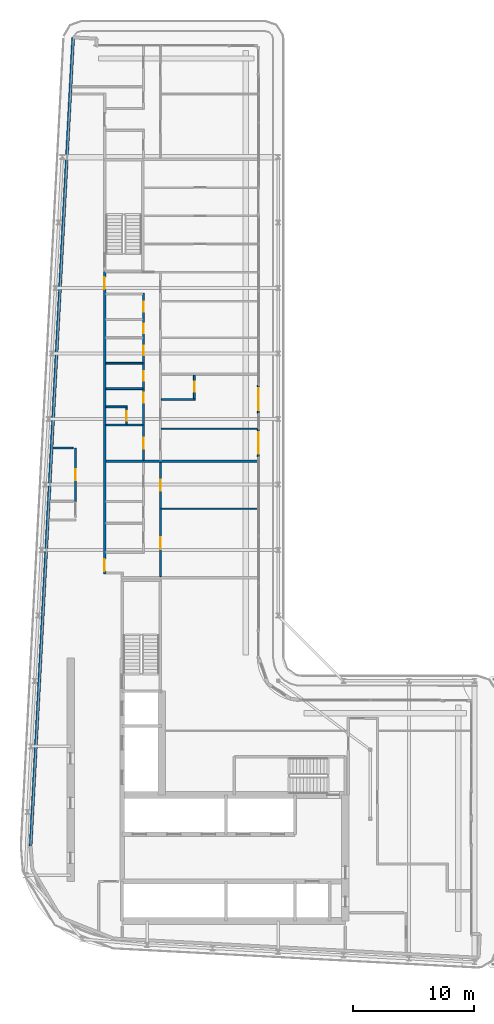
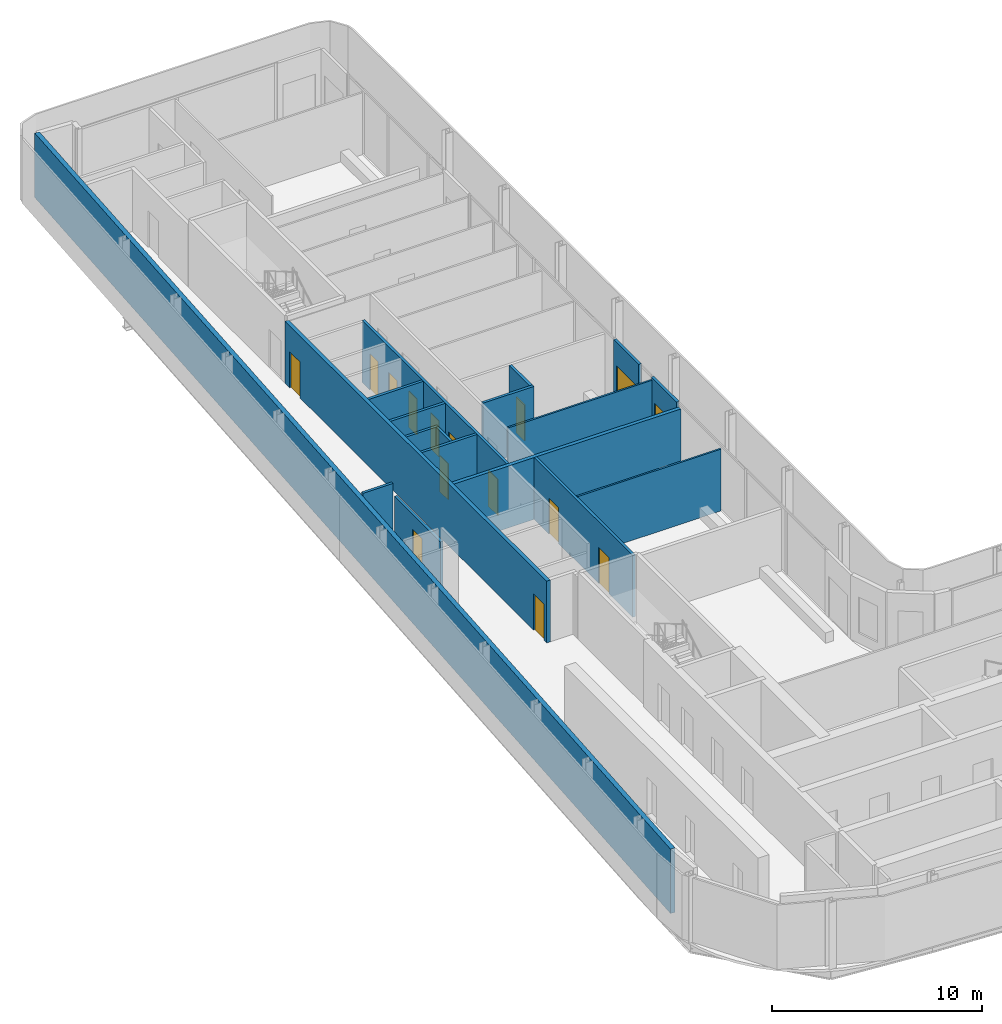
# One storey, part 13 of 22: 18 walls, 15 doors, 15 openings.
"""IFC4 building model written with IfcOpenShell, lengths in metres."""

from ifc_helpers import new_model, si_unit, direction, frame, frame_2d, origin, place, context, subcontext, project, spatial, rectangle, extrude, source, transform, mapped, material, layer, layer_set, type_object, element, fill, save


model = new_model("IFC4")

# Units and contexts
model_context = context("Model", 3, precision=1e-05, world=origin(), true_north=direction((0.0, 1.0)))
body_context = subcontext(model_context, "Body", "Model", "MODEL_VIEW")
ifc_project = project(units=[si_unit("LENGTHUNIT", "METRE"), si_unit("AREAUNIT", "SQUARE_METRE"), si_unit("VOLUMEUNIT", "CUBIC_METRE"), si_unit("PLANEANGLEUNIT", "RADIAN"), si_unit("MASSUNIT", "GRAM", prefix="KILO")], contexts=[model_context])

# Site, building, storey
site_placement = place(None, origin())
site = spatial("IfcSite", under=ifc_project, at=site_placement, CompositionType="ELEMENT")
building_placement = place(site_placement, origin())
building = spatial("IfcBuilding", under=site, at=building_placement, Name="Kheshtan School and Residences Tower", CompositionType="ELEMENT")
storey_placement = place(building_placement, frame((0.0, 0.0, 274.699951171875)))
storey = spatial("IfcBuildingStorey", under=building, at=storey_placement, Name="L64", CompositionType="ELEMENT", Elevation=274.699951171875)

# Wall, openings, doors
ifc_material_1 = material(Name="Gypsum board on steel studs with fire boards", Category="steel")
ifc_layer_1 = layer(ifc_material_1, 0.199951171875)
ifc_layer_set_1 = layer_set([ifc_layer_1], Name="Corridor wall 200")
wall_type_1 = type_object("IfcWallType", Name="Corridor wall 200", PredefinedType="PARTITIONING", material=ifc_layer_set_1)
wall_1_placement = place(storey_placement, frame((33.300048828125, 54.39990234375, 0.0), z_axis=(0.0, 0.0, 1.0), x_axis=(0.0, 1.0, 0.0)))
wall_1 = element("IfcWall", 1, at=wall_1_placement, inside=storey, type_object=wall_type_1, Name="Partition L64-003", PredefinedType="PARTITIONING", context=body_context, shape_type="SweptSolid", body=[
    extrude(rectangle(XDim=24.9501953125, YDim=0.199951171875, at=frame_2d((12.47509765625, 0.0))), origin(), (0.0, 0.0, 1.0), 3.60009765625),
])
opening_1_placement = place(wall_1_placement, frame((0.25, 0.0, 0.0)))
opening_1 = element("IfcOpeningElement", 2, at=opening_1_placement, cuts=wall_1, Name="Opening D64-003", PredefinedType="OPENING", context=body_context, shape_type="SweptSolid", body=[
    extrude(rectangle(XDim=1.0, YDim=2.10009765625, at=frame_2d((0.5, 1.050048828125))), frame((0.0, 0.10986328125, 0.0), z_axis=(0.0, -1.0, 0.0), x_axis=(1.0, 0.0, 0.0)), (0.0, 0.0, 1.0), 0.219970703125),
])
opening_2_placement = place(wall_1_placement, frame((23.5, 0.0, 0.0)))
opening_2 = element("IfcOpeningElement", 3, at=opening_2_placement, cuts=wall_1, Name="Opening D64-013", PredefinedType="OPENING", context=body_context, shape_type="SweptSolid", body=[
    extrude(rectangle(XDim=1.0, YDim=2.10009765625, at=frame_2d((0.5, 1.050048828125))), frame((0.0, 0.10986328125, 0.0), z_axis=(0.0, -1.0, 0.0), x_axis=(1.0, 0.0, 0.0)), (0.0, 0.0, 1.0), 0.219970703125),
])
ifc_material_2 = material(Name="Steel-framed fire-resisting door leaf", Category="steel")
door_type_1 = type_object("IfcDoorType", Name="Fire door FD30S 1000 x 2100", OperationType="SINGLE_SWING_LEFT", PredefinedType="DOOR", material=ifc_material_2)
shared_shape_1 = source(origin(), body_context, "Body", "SweptSolid", [
    extrude(rectangle(XDim=1.0, YDim=2.10009765625, at=frame_2d((0.5, 1.050048828125))), frame((0.0, 0.02490234375, 0.0), z_axis=(0.0, -1.0, 0.0), x_axis=(1.0, 0.0, 0.0)), (0.0, 0.0, 1.0), 0.050048828125),
])
door_1_placement = place(opening_1_placement, origin())
door_1 = element("IfcDoor", 4, at=door_1_placement, inside=storey, type_object=door_type_1, Name="Door D64-003", OperationType="SINGLE_SWING_RIGHT", OverallHeight=2.10009765625, OverallWidth=1.0, PredefinedType="DOOR", context=body_context, shape_type="MappedRepresentation", body=[
    mapped(shared_shape_1, transform((0.0, 0.0, 0.0), x_axis=(1.0, 0.0, 0.0), y_axis=(0.0, 1.0, 0.0), z_axis=(0.0, 0.0, 1.0), scale=1.0)),
])
fill(opening_1, door_1)
door_2_placement = place(opening_2_placement, origin())
door_2 = element("IfcDoor", 5, at=door_2_placement, inside=storey, type_object=door_type_1, Name="Door D64-013", OperationType="SINGLE_SWING_RIGHT", OverallHeight=2.10009765625, OverallWidth=1.0, PredefinedType="DOOR", context=body_context, shape_type="MappedRepresentation", body=[
    mapped(shared_shape_1, transform((0.0, 0.0, 0.0), x_axis=(1.0, 0.0, 0.0), y_axis=(0.0, 1.0, 0.0), z_axis=(0.0, 0.0, 1.0), scale=1.0)),
])
fill(opening_2, door_2)

# Wall
ifc_material_3 = material(Name="Concrete C40/50 with ceramic cladding and mineral wool insulation", Category="concrete")
ifc_layer_2 = layer(ifc_material_3, 0.25)
ifc_layer_set_2 = layer_set([ifc_layer_2], Name="External wall 250 ceramic clad")
wall_type_2 = type_object("IfcWallType", Name="External wall 250 ceramic clad", PredefinedType="SOLIDWALL", material=ifc_layer_set_2)
wall_2_placement = place(storey_placement, frame((27.195068359375, 31.968994140625, 0.0), z_axis=(0.0, 0.0, 1.0), x_axis=(0.052554995867, 0.998618031286, 0.0)))
element("IfcWall", 6, at=wall_2_placement, inside=storey, type_object=wall_type_2, Name="External wall L64 4", PredefinedType="SOLIDWALL", context=body_context, shape_type="SweptSolid", body=[
    extrude(rectangle(XDim=66.787353515625, YDim=0.25, at=frame_2d((33.3935546875, 0.0))), origin(), (0.0, 0.0, 1.0), 3.75),
])

# Wall, opening, door
ifc_material_4 = material(Name="Aluminium frame wall with insulated infill", Category="aluminium")
ifc_layer_3 = layer(ifc_material_4, 0.14990234375)
ifc_layer_set_3 = layer_set([ifc_layer_3], Name="Glazing frame wall 150")
wall_type_3 = type_object("IfcWallType", Name="Glazing frame wall 150", PredefinedType="SOLIDWALL", material=ifc_layer_set_3)
wall_3_placement = place(storey_placement, frame((45.97509765625, 70.01806640625, 0.0), z_axis=(0.0, 0.0, 1.0), x_axis=(0.0, -1.0, 0.0)))
wall_3 = element("IfcWall", 7, at=wall_3_placement, inside=storey, type_object=wall_type_3, Name="Balcony door wall L64 8.3", PredefinedType="SOLIDWALL", context=body_context, shape_type="SweptSolid", body=[
    extrude(rectangle(XDim=2.400146484375, YDim=0.14990234375, at=frame_2d((1.2001953125, 0.0))), origin(), (0.0, 0.0, 1.0), 3.75),
])
opening_3_placement = place(wall_3_placement, frame((0.300048828125, 0.0, 0.0)))
opening_3 = element("IfcOpeningElement", 8, at=opening_3_placement, cuts=wall_3, Name="Opening BD", PredefinedType="OPENING", context=body_context, shape_type="SweptSolid", body=[
    extrude(rectangle(XDim=1.800048828125, YDim=2.39990234375, at=frame_2d((0.89990234375, 1.199951171875))), frame((0.0, 0.0849609375, 0.0), z_axis=(0.0, -1.0, 0.0), x_axis=(1.0, 0.0, 0.0)), (0.0, 0.0, 1.0), 0.169921875),
])
ifc_material_5 = material(Name="Clear low-e glass in thermally broken aluminium frame", Category="aluminium")
door_type_2 = type_object("IfcDoorType", Name="Balcony sliding door", OperationType="SLIDING_TO_LEFT", PredefinedType="DOOR", material=ifc_material_5)
shared_shape_2 = source(origin(), body_context, "Body", "SweptSolid", [
    extrude(rectangle(XDim=1.800048828125, YDim=2.39990234375, at=frame_2d((0.89990234375, 1.199951171875))), frame((0.0, 0.02490234375, 0.0), z_axis=(0.0, -1.0, 0.0), x_axis=(1.0, 0.0, 0.0)), (0.0, 0.0, 1.0), 0.050048828125),
])
door_3_placement = place(opening_3_placement, origin())
door_3 = element("IfcDoor", 9, at=door_3_placement, inside=storey, type_object=door_type_2, Name="Balcony door L64 8.3", OperationType="SLIDING_TO_LEFT", OverallHeight=2.39990234375, OverallWidth=1.800048828125, PredefinedType="DOOR", context=body_context, shape_type="MappedRepresentation", body=[
    mapped(shared_shape_2, transform((0.0, 0.0, 0.0), x_axis=(1.0, 0.0, 0.0), y_axis=(0.0, 1.0, 0.0), z_axis=(0.0, 0.0, 1.0), scale=1.0)),
])
fill(opening_3, door_3)

wall_4_placement = place(storey_placement, frame((45.97509765625, 66.41796875, 0.0), z_axis=(0.0, 0.0, 1.0), x_axis=(0.0, -1.0, 0.0)))
wall_4 = element("IfcWall", 10, at=wall_4_placement, inside=storey, type_object=wall_type_3, Name="Balcony door wall L64 8.4", PredefinedType="SOLIDWALL", context=body_context, shape_type="SweptSolid", body=[
    extrude(rectangle(XDim=2.39990234375, YDim=0.14990234375, at=frame_2d((1.199951171875, 0.0))), origin(), (0.0, 0.0, 1.0), 3.75),
])
opening_4_placement = place(wall_4_placement, frame((0.300048828125, 0.0, 0.0)))
opening_4 = element("IfcOpeningElement", 11, at=opening_4_placement, cuts=wall_4, Name="Opening BD", PredefinedType="OPENING", context=body_context, shape_type="SweptSolid", body=[
    extrude(rectangle(XDim=1.800048828125, YDim=2.39990234375, at=frame_2d((0.89990234375, 1.199951171875))), frame((0.0, 0.0849609375, 0.0), z_axis=(0.0, -1.0, 0.0), x_axis=(1.0, 0.0, 0.0)), (0.0, 0.0, 1.0), 0.169921875),
])
door_4_placement = place(opening_4_placement, origin())
door_4 = element("IfcDoor", 12, at=door_4_placement, inside=storey, type_object=door_type_2, Name="Balcony door L64 8.4", OperationType="SLIDING_TO_LEFT", OverallHeight=2.39990234375, OverallWidth=1.800048828125, PredefinedType="DOOR", context=body_context, shape_type="MappedRepresentation", body=[
    mapped(shared_shape_2, transform((0.0, 0.0, 0.0), x_axis=(1.0, 0.0, 0.0), y_axis=(0.0, 1.0, 0.0), z_axis=(0.0, 0.0, 1.0), scale=1.0)),
])
fill(opening_4, door_4)

# Walls
ifc_material_6 = material(Name="Gypsum board on steel studs", Category="steel")
ifc_layer_4 = layer(ifc_material_6, 0.10009765625)
ifc_layer_set_4 = layer_set([ifc_layer_4], Name="Gypsum partition 100")
wall_type_4 = type_object("IfcWallType", Name="Gypsum partition 100", PredefinedType="PARTITIONING", material=ifc_layer_set_4)
for number, where, z_axis, x_axis, name in (
    (13, (37.97509765625, 59.800048828125, 0.0), (0.0, 0.0, 1.0), (1.0, 0.0, 0.0), "Partition L64-035"),
    (14, (37.97509765625, 66.39990234375, 0.0), (0.0, 0.0, 1.0), (1.0, 0.0, 0.0), "Partition L64-036"),
):
    element("IfcWall", number, at=place(storey_placement, frame(where, z_axis=z_axis, x_axis=x_axis)), inside=storey, type_object=wall_type_4, Name=name, PredefinedType="PARTITIONING", context=body_context, shape_type="SweptSolid", body=[
        extrude(rectangle(XDim=7.9248046875, YDim=0.10009765625, at=frame_2d((3.96240234375, 0.0))), origin(), (0.0, 0.0, 1.0), 3.60009765625),
    ])

# Wall, opening, door
ifc_material_7 = material(Name="Fire-board shaft wall system")
ifc_layer_5 = layer(ifc_material_7, 0.14990234375)
ifc_layer_set_5 = layer_set([ifc_layer_5], Name="Service room wall 150")
wall_type_5 = type_object("IfcWallType", Name="Service room wall 150", PredefinedType="PARTITIONING", material=ifc_layer_set_5)
wall_5_placement = place(storey_placement, frame((30.89990234375, 60.4140625, 0.0), z_axis=(0.0, 0.0, 1.0), x_axis=(0.0, 1.0, 0.0)))
wall_5 = element("IfcWall", 15, at=wall_5_placement, inside=storey, type_object=wall_type_5, Name="Service room wall", PredefinedType="PARTITIONING", context=body_context, shape_type="SweptSolid", body=[
    extrude(rectangle(XDim=4.385986328125, YDim=0.14990234375, at=frame_2d((2.19287109375, 0.0))), origin(), (0.0, 0.0, 1.0), 3.072021484375),
])
opening_5_placement = place(wall_5_placement, frame((1.742919921875, 0.0, 0.0)))
opening_5 = element("IfcOpeningElement", 16, at=opening_5_placement, cuts=wall_5, Name="Opening SR90", PredefinedType="OPENING", context=body_context, shape_type="SweptSolid", body=[
    extrude(rectangle(XDim=0.89990234375, YDim=2.199951171875, at=frame_2d((0.449951171875, 1.10009765625))), frame((0.0, 0.0849609375, 0.0), z_axis=(0.0, -1.0, 0.0), x_axis=(1.0, 0.0, 0.0)), (0.0, 0.0, 1.0), 0.169921875),
])
ifc_material_8 = material(Name="Steel door leaf, galvanised", Category="steel")
door_type_3 = type_object("IfcDoorType", Name="Service room door 900 steel 90 min", OperationType="SINGLE_SWING_LEFT", PredefinedType="DOOR", material=ifc_material_8)
shared_shape_3 = source(origin(), body_context, "Body", "SweptSolid", [
    extrude(rectangle(XDim=0.89990234375, YDim=2.199951171875, at=frame_2d((0.449951171875, 1.10009765625))), frame((0.0, 0.02490234375, 0.0), z_axis=(0.0, -1.0, 0.0), x_axis=(1.0, 0.0, 0.0)), (0.0, 0.0, 1.0), 0.050048828125),
])
door_5_placement = place(opening_5_placement, origin())
door_5 = element("IfcDoor", 17, at=door_5_placement, inside=storey, type_object=door_type_3, Name="Service room door", OperationType="SINGLE_SWING_LEFT", OverallHeight=2.199951171875, OverallWidth=0.89990234375, PredefinedType="DOOR", context=body_context, shape_type="MappedRepresentation", body=[
    mapped(shared_shape_3, transform((0.0, 0.0, 0.0), x_axis=(1.0, 0.0, 0.0), y_axis=(0.0, 1.0, 0.0), z_axis=(0.0, 0.0, 1.0), scale=1.0)),
])
fill(opening_5, door_5)

# Walls
wall_6_placement = place(storey_placement, frame((29.050048828125, 64.800048828125, 0.0), z_axis=(0.0, 0.0, 1.0), x_axis=(1.0, 0.0, 0.0)))
element("IfcWall", 18, at=wall_6_placement, inside=storey, type_object=wall_type_5, Name="Service room wall", PredefinedType="PARTITIONING", context=body_context, shape_type="SweptSolid", body=[
    extrude(rectangle(XDim=1.655029296875, YDim=0.14990234375, at=frame_2d((0.82763671875, 0.0))), origin(), (0.0, 0.0, 1.0), 3.900146484375),
])
ifc_material_9 = material(Name="Twin gypsum board on steel studs with mineral wool", Category="steel")
ifc_layer_6 = layer(ifc_material_9, 0.199951171875)
ifc_layer_set_6 = layer_set([ifc_layer_6], Name="Unit demising wall 200")
wall_type_6 = type_object("IfcWallType", Name="Unit demising wall 200", PredefinedType="PARTITIONING", material=ifc_layer_set_6)
wall_7_placement = place(storey_placement, frame((33.39990234375, 63.699951171875, 0.0), z_axis=(0.0, 0.0, 1.0), x_axis=(1.0, 0.0, 0.0)))
element("IfcWall", 19, at=wall_7_placement, inside=storey, type_object=wall_type_6, Name="Partition L64-009", PredefinedType="PARTITIONING", context=body_context, shape_type="SweptSolid", body=[
    extrude(rectangle(XDim=12.5, YDim=0.199951171875, at=frame_2d((6.25, 0.0))), origin(), (0.0, 0.0, 1.0), 3.60009765625),
])
ifc_material_10 = material(Name="Moisture-resistant gypsum board on steel studs", Category="steel")
ifc_layer_7 = layer(ifc_material_10, 0.14990234375)
ifc_layer_set_7 = layer_set([ifc_layer_7], Name="Wet-room partition 150")
wall_type_7 = type_object("IfcWallType", Name="Wet-room partition 150", PredefinedType="PARTITIONING", material=ifc_layer_set_7)
wall_8_placement = place(storey_placement, frame((33.39990234375, 66.699951171875, 0.0), z_axis=(0.0, 0.0, 1.0), x_axis=(1.0, 0.0, 0.0)))
element("IfcWall", 20, at=wall_8_placement, inside=storey, type_object=wall_type_7, Name="Partition L64-010", PredefinedType="PARTITIONING", context=body_context, shape_type="SweptSolid", body=[
    extrude(rectangle(XDim=3.025146484375, YDim=0.14990234375, at=frame_2d((1.5126953125, 0.0))), origin(), (0.0, 0.0, 1.0), 3.60009765625),
])
wall_9_placement = place(storey_placement, frame((33.39990234375, 68.199951171875, 0.0), z_axis=(0.0, 0.0, 1.0), x_axis=(1.0, 0.0, 0.0)))
element("IfcWall", 21, at=wall_9_placement, inside=storey, type_object=wall_type_7, Name="Partition L64-011", PredefinedType="PARTITIONING", context=body_context, shape_type="SweptSolid", body=[
    extrude(rectangle(XDim=1.775146484375, YDim=0.14990234375, at=frame_2d((0.8876953125, 0.0))), origin(), (0.0, 0.0, 1.0), 3.60009765625),
])
for number, where, z_axis, x_axis, name in (
    (22, (33.39990234375, 69.699951171875, 0.0), (0.0, 0.0, 1.0), (1.0, 0.0, 0.0), "Partition L64-012"),
    (23, (33.39990234375, 71.800048828125, 0.0), (0.0, 0.0, 1.0), (1.0, 0.0, 0.0), "Partition L64-013"),
):
    element("IfcWall", number, at=place(storey_placement, frame(where, z_axis=z_axis, x_axis=x_axis)), inside=storey, type_object=wall_type_7, Name=name, PredefinedType="PARTITIONING", context=body_context, shape_type="SweptSolid", body=[
        extrude(rectangle(XDim=3.025146484375, YDim=0.14990234375, at=frame_2d((1.5126953125, 0.0))), origin(), (0.0, 0.0, 1.0), 3.60009765625),
    ])

# Wall, opening, door
wall_10_placement = place(storey_placement, frame((35.10009765625, 66.77490234375, 0.0), z_axis=(0.0, 0.0, 1.0), x_axis=(0.0, 1.0, 0.0)))
wall_10 = element("IfcWall", 24, at=wall_10_placement, inside=storey, type_object=wall_type_7, Name="Partition L64-022", PredefinedType="PARTITIONING", context=body_context, shape_type="SweptSolid", body=[
    extrude(rectangle(XDim=1.35009765625, YDim=0.14990234375, at=frame_2d((0.675048828125, 0.0))), origin(), (0.0, 0.0, 1.0), 3.60009765625),
])
opening_6_placement = place(wall_10_placement, frame((0.27490234375, 0.0, 0.0)))
opening_6 = element("IfcOpeningElement", 25, at=opening_6_placement, cuts=wall_10, Name="Opening D64-017", PredefinedType="OPENING", context=body_context, shape_type="SweptSolid", body=[
    extrude(rectangle(XDim=0.800048828125, YDim=2.10009765625, at=frame_2d((0.39990234375, 1.050048828125))), frame((0.0, 0.0849609375, 0.0), z_axis=(0.0, -1.0, 0.0), x_axis=(1.0, 0.0, 0.0)), (0.0, 0.0, 1.0), 0.169921875),
])
ifc_material_11 = material(Name="Veneered timber door leaf", Category="wood")
door_type_4 = type_object("IfcDoorType", Name="Door 800 x 2100", OperationType="SINGLE_SWING_LEFT", PredefinedType="DOOR", material=ifc_material_11)
shared_shape_4 = source(origin(), body_context, "Body", "SweptSolid", [
    extrude(rectangle(XDim=0.800048828125, YDim=2.10009765625, at=frame_2d((0.39990234375, 1.050048828125))), frame((0.0, 0.02490234375, 0.0), z_axis=(0.0, -1.0, 0.0), x_axis=(1.0, 0.0, 0.0)), (0.0, 0.0, 1.0), 0.050048828125),
])
door_6_placement = place(opening_6_placement, origin())
door_6 = element("IfcDoor", 26, at=door_6_placement, inside=storey, type_object=door_type_4, Name="Door D64-017", OperationType="SINGLE_SWING_LEFT", OverallHeight=2.10009765625, OverallWidth=0.800048828125, PredefinedType="DOOR", context=body_context, shape_type="MappedRepresentation", body=[
    mapped(shared_shape_4, transform((0.0, 0.0, 0.0), x_axis=(1.0, 0.0, 0.0), y_axis=(0.0, 1.0, 0.0), z_axis=(0.0, 0.0, 1.0), scale=1.0)),
])
fill(opening_6, door_6)

# Wall, openings, doors
wall_11_placement = place(storey_placement, frame((36.5, 63.800048828125, 0.0), z_axis=(0.0, 0.0, 1.0), x_axis=(0.0, 1.0, 0.0)))
wall_11 = element("IfcWall", 27, at=wall_11_placement, inside=storey, type_object=wall_type_7, Name="Partition L64-025", PredefinedType="PARTITIONING", context=body_context, shape_type="SweptSolid", body=[
    extrude(rectangle(XDim=13.77490234375, YDim=0.14990234375, at=frame_2d((6.887451171875, 0.0))), origin(), (0.0, 0.0, 1.0), 3.60009765625),
])
opening_7_placement = place(wall_11_placement, frame((6.550048828125, 0.0, 0.0)))
opening_7 = element("IfcOpeningElement", 28, at=opening_7_placement, cuts=wall_11, Name="Opening D64-007", PredefinedType="OPENING", context=body_context, shape_type="SweptSolid", body=[
    extrude(rectangle(XDim=0.800048828125, YDim=2.10009765625, at=frame_2d((0.39990234375, 1.050048828125))), frame((0.0, 0.0849609375, 0.0), z_axis=(0.0, -1.0, 0.0), x_axis=(1.0, 0.0, 0.0)), (0.0, 0.0, 1.0), 0.169921875),
])
opening_8_placement = place(wall_11_placement, frame((12.25, 0.0, 0.0)))
opening_8 = element("IfcOpeningElement", 29, at=opening_8_placement, cuts=wall_11, Name="Opening D64-008", PredefinedType="OPENING", context=body_context, shape_type="SweptSolid", body=[
    extrude(rectangle(XDim=0.800048828125, YDim=2.10009765625, at=frame_2d((0.39990234375, 1.050048828125))), frame((0.0, 0.0849609375, 0.0), z_axis=(0.0, -1.0, 0.0), x_axis=(1.0, 0.0, 0.0)), (0.0, 0.0, 1.0), 0.169921875),
])
opening_9_placement = place(wall_11_placement, frame((8.64990234375, 0.0, 0.0)))
opening_9 = element("IfcOpeningElement", 30, at=opening_9_placement, cuts=wall_11, Name="Opening D64-011", PredefinedType="OPENING", context=body_context, shape_type="SweptSolid", body=[
    extrude(rectangle(XDim=0.800048828125, YDim=2.10009765625, at=frame_2d((0.39990234375, 1.050048828125))), frame((0.0, 0.0849609375, 0.0), z_axis=(0.0, -1.0, 0.0), x_axis=(1.0, 0.0, 0.0)), (0.0, 0.0, 1.0), 0.169921875),
])
opening_10_placement = place(wall_11_placement, frame((0.949951171875, 0.0, 0.0)))
opening_10 = element("IfcOpeningElement", 31, at=opening_10_placement, cuts=wall_11, Name="Opening D64-014", PredefinedType="OPENING", context=body_context, shape_type="SweptSolid", body=[
    extrude(rectangle(XDim=0.89990234375, YDim=2.10009765625, at=frame_2d((0.449951171875, 1.050048828125))), frame((0.0, 0.0849609375, 0.0), z_axis=(0.0, -1.0, 0.0), x_axis=(1.0, 0.0, 0.0)), (0.0, 0.0, 1.0), 0.169921875),
])
opening_11_placement = place(wall_11_placement, frame((4.75, 0.0, 0.0)))
opening_11 = element("IfcOpeningElement", 32, at=opening_11_placement, cuts=wall_11, Name="Opening D64-016", PredefinedType="OPENING", context=body_context, shape_type="SweptSolid", body=[
    extrude(rectangle(XDim=0.800048828125, YDim=2.10009765625, at=frame_2d((0.39990234375, 1.050048828125))), frame((0.0, 0.0849609375, 0.0), z_axis=(0.0, -1.0, 0.0), x_axis=(1.0, 0.0, 0.0)), (0.0, 0.0, 1.0), 0.169921875),
])
opening_12_placement = place(wall_11_placement, frame((10.449951171875, 0.0, 0.0)))
opening_12 = element("IfcOpeningElement", 33, at=opening_12_placement, cuts=wall_11, Name="Opening D64-020", PredefinedType="OPENING", context=body_context, shape_type="SweptSolid", body=[
    extrude(rectangle(XDim=0.800048828125, YDim=2.10009765625, at=frame_2d((0.39990234375, 1.050048828125))), frame((0.0, 0.0849609375, 0.0), z_axis=(0.0, -1.0, 0.0), x_axis=(1.0, 0.0, 0.0)), (0.0, 0.0, 1.0), 0.169921875),
])
door_7_placement = place(opening_7_placement, origin())
door_7 = element("IfcDoor", 34, at=door_7_placement, inside=storey, type_object=door_type_4, Name="Door D64-007", OperationType="SINGLE_SWING_RIGHT", OverallHeight=2.10009765625, OverallWidth=0.800048828125, PredefinedType="DOOR", context=body_context, shape_type="MappedRepresentation", body=[
    mapped(shared_shape_4, transform((0.0, 0.0, 0.0), x_axis=(1.0, 0.0, 0.0), y_axis=(0.0, 1.0, 0.0), z_axis=(0.0, 0.0, 1.0), scale=1.0)),
])
fill(opening_7, door_7)
door_8_placement = place(opening_8_placement, origin())
door_8 = element("IfcDoor", 35, at=door_8_placement, inside=storey, type_object=door_type_4, Name="Door D64-008", OperationType="SINGLE_SWING_RIGHT", OverallHeight=2.10009765625, OverallWidth=0.800048828125, PredefinedType="DOOR", context=body_context, shape_type="MappedRepresentation", body=[
    mapped(shared_shape_4, transform((0.0, 0.0, 0.0), x_axis=(1.0, 0.0, 0.0), y_axis=(0.0, 1.0, 0.0), z_axis=(0.0, 0.0, 1.0), scale=1.0)),
])
fill(opening_8, door_8)
door_9_placement = place(opening_9_placement, origin())
door_9 = element("IfcDoor", 36, at=door_9_placement, inside=storey, type_object=door_type_4, Name="Door D64-011", OperationType="SINGLE_SWING_RIGHT", OverallHeight=2.10009765625, OverallWidth=0.800048828125, PredefinedType="DOOR", context=body_context, shape_type="MappedRepresentation", body=[
    mapped(shared_shape_4, transform((0.0, 0.0, 0.0), x_axis=(1.0, 0.0, 0.0), y_axis=(0.0, 1.0, 0.0), z_axis=(0.0, 0.0, 1.0), scale=1.0)),
])
fill(opening_9, door_9)
door_10_placement = place(opening_11_placement, origin())
door_10 = element("IfcDoor", 37, at=door_10_placement, inside=storey, type_object=door_type_4, Name="Door D64-016", OperationType="SINGLE_SWING_RIGHT", OverallHeight=2.10009765625, OverallWidth=0.800048828125, PredefinedType="DOOR", context=body_context, shape_type="MappedRepresentation", body=[
    mapped(shared_shape_4, transform((0.0, 0.0, 0.0), x_axis=(1.0, 0.0, 0.0), y_axis=(0.0, 1.0, 0.0), z_axis=(0.0, 0.0, 1.0), scale=1.0)),
])
fill(opening_11, door_10)
door_11_placement = place(opening_12_placement, origin())
door_11 = element("IfcDoor", 38, at=door_11_placement, inside=storey, type_object=door_type_4, Name="Door D64-020", OperationType="SINGLE_SWING_RIGHT", OverallHeight=2.10009765625, OverallWidth=0.800048828125, PredefinedType="DOOR", context=body_context, shape_type="MappedRepresentation", body=[
    mapped(shared_shape_4, transform((0.0, 0.0, 0.0), x_axis=(1.0, 0.0, 0.0), y_axis=(0.0, 1.0, 0.0), z_axis=(0.0, 0.0, 1.0), scale=1.0)),
])
fill(opening_12, door_11)
door_type_5 = type_object("IfcDoorType", Name="Door 900 x 2100", OperationType="SINGLE_SWING_LEFT", PredefinedType="DOOR", material=ifc_material_11)
shared_shape_5 = source(origin(), body_context, "Body", "SweptSolid", [
    extrude(rectangle(XDim=0.89990234375, YDim=2.10009765625, at=frame_2d((0.449951171875, 1.050048828125))), frame((0.0, 0.02490234375, 0.0), z_axis=(0.0, -1.0, 0.0), x_axis=(1.0, 0.0, 0.0)), (0.0, 0.0, 1.0), 0.050048828125),
])
door_12_placement = place(opening_10_placement, origin())
door_12 = element("IfcDoor", 39, at=door_12_placement, inside=storey, type_object=door_type_5, Name="Door D64-014", OperationType="SINGLE_SWING_RIGHT", OverallHeight=2.10009765625, OverallWidth=0.89990234375, PredefinedType="DOOR", context=body_context, shape_type="MappedRepresentation", body=[
    mapped(shared_shape_5, transform((0.0, 0.0, 0.0), x_axis=(1.0, 0.0, 0.0), y_axis=(0.0, 1.0, 0.0), z_axis=(0.0, 0.0, 1.0), scale=1.0)),
])
fill(opening_10, door_12)

wall_12_placement = place(storey_placement, frame((37.89990234375, 54.199951171875, 0.0), z_axis=(0.0, 0.0, 1.0), x_axis=(0.0, 1.0, 0.0)))
wall_12 = element("IfcWall", 40, at=wall_12_placement, inside=storey, type_object=wall_type_7, Name="Partition L64-031", PredefinedType="PARTITIONING", context=body_context, shape_type="SweptSolid", body=[
    extrude(rectangle(XDim=9.400146484375, YDim=0.14990234375, at=frame_2d((4.7001953125, 0.0))), origin(), (0.0, 0.0, 1.0), 3.60009765625),
])
opening_13_placement = place(wall_12_placement, frame((7.10009765625, 0.0, 0.0)))
opening_13 = element("IfcOpeningElement", 41, at=opening_13_placement, cuts=wall_12, Name="Opening D64-002", PredefinedType="OPENING", context=body_context, shape_type="SweptSolid", body=[
    extrude(rectangle(XDim=0.89990234375, YDim=2.10009765625, at=frame_2d((0.449951171875, 1.050048828125))), frame((0.0, 0.0849609375, 0.0), z_axis=(0.0, -1.0, 0.0), x_axis=(1.0, 0.0, 0.0)), (0.0, 0.0, 1.0), 0.169921875),
])
opening_14_placement = place(wall_12_placement, frame((2.25, 0.0, 0.0)))
opening_14 = element("IfcOpeningElement", 42, at=opening_14_placement, cuts=wall_12, Name="Opening D64-005", PredefinedType="OPENING", context=body_context, shape_type="SweptSolid", body=[
    extrude(rectangle(XDim=1.0, YDim=2.10009765625, at=frame_2d((0.5, 1.050048828125))), frame((0.0, 0.0849609375, 0.0), z_axis=(0.0, -1.0, 0.0), x_axis=(1.0, 0.0, 0.0)), (0.0, 0.0, 1.0), 0.169921875),
])
door_type_6 = type_object("IfcDoorType", Name="Door 1000 x 2100", OperationType="SINGLE_SWING_LEFT", PredefinedType="DOOR", material=ifc_material_11)
shared_shape_6 = source(origin(), body_context, "Body", "SweptSolid", [
    extrude(rectangle(XDim=1.0, YDim=2.10009765625, at=frame_2d((0.5, 1.050048828125))), frame((0.0, 0.02490234375, 0.0), z_axis=(0.0, -1.0, 0.0), x_axis=(1.0, 0.0, 0.0)), (0.0, 0.0, 1.0), 0.050048828125),
])
door_13_placement = place(opening_14_placement, origin())
door_13 = element("IfcDoor", 43, at=door_13_placement, inside=storey, type_object=door_type_6, Name="Door D64-005", OperationType="SINGLE_SWING_RIGHT", OverallHeight=2.10009765625, OverallWidth=1.0, PredefinedType="DOOR", context=body_context, shape_type="MappedRepresentation", body=[
    mapped(shared_shape_6, transform((0.0, 0.0, 0.0), x_axis=(1.0, 0.0, 0.0), y_axis=(0.0, 1.0, 0.0), z_axis=(0.0, 0.0, 1.0), scale=1.0)),
])
fill(opening_14, door_13)
door_14_placement = place(opening_13_placement, origin())
door_14 = element("IfcDoor", 44, at=door_14_placement, inside=storey, type_object=door_type_5, Name="Door D64-002", OperationType="SINGLE_SWING_RIGHT", OverallHeight=2.10009765625, OverallWidth=0.89990234375, PredefinedType="DOOR", context=body_context, shape_type="MappedRepresentation", body=[
    mapped(shared_shape_5, transform((0.0, 0.0, 0.0), x_axis=(1.0, 0.0, 0.0), y_axis=(0.0, 1.0, 0.0), z_axis=(0.0, 0.0, 1.0), scale=1.0)),
])
fill(opening_13, door_14)

# Wall
wall_13_placement = place(storey_placement, frame((37.97509765625, 68.800048828125, 0.0), z_axis=(0.0, 0.0, 1.0), x_axis=(1.0, 0.0, 0.0)))
element("IfcWall", 45, at=wall_13_placement, inside=storey, type_object=wall_type_7, Name="Partition L64-037", PredefinedType="PARTITIONING", context=body_context, shape_type="SweptSolid", body=[
    extrude(rectangle(XDim=2.7998046875, YDim=0.14990234375, at=frame_2d((1.39990234375, 0.0))), origin(), (0.0, 0.0, 1.0), 3.60009765625),
])

# Wall, opening, door
wall_14_placement = place(storey_placement, frame((40.699951171875, 68.875, 0.0), z_axis=(0.0, 0.0, 1.0), x_axis=(0.0, 1.0, 0.0)))
wall_14 = element("IfcWall", 46, at=wall_14_placement, inside=storey, type_object=wall_type_7, Name="Partition L64-042", PredefinedType="PARTITIONING", context=body_context, shape_type="SweptSolid", body=[
    extrude(rectangle(XDim=1.949951171875, YDim=0.14990234375, at=frame_2d((0.97509765625, 0.0))), origin(), (0.0, 0.0, 1.0), 3.60009765625),
])
opening_15_placement = place(wall_14_placement, frame((0.574951171875, 0.0, 0.0)))
opening_15 = element("IfcOpeningElement", 47, at=opening_15_placement, cuts=wall_14, Name="Opening D64-012", PredefinedType="OPENING", context=body_context, shape_type="SweptSolid", body=[
    extrude(rectangle(XDim=0.800048828125, YDim=2.10009765625, at=frame_2d((0.39990234375, 1.050048828125))), frame((0.0, 0.0849609375, 0.0), z_axis=(0.0, -1.0, 0.0), x_axis=(1.0, 0.0, 0.0)), (0.0, 0.0, 1.0), 0.169921875),
])
door_15_placement = place(opening_15_placement, origin())
door_15 = element("IfcDoor", 48, at=door_15_placement, inside=storey, type_object=door_type_4, Name="Door D64-012", OperationType="SINGLE_SWING_RIGHT", OverallHeight=2.10009765625, OverallWidth=0.800048828125, PredefinedType="DOOR", context=body_context, shape_type="MappedRepresentation", body=[
    mapped(shared_shape_4, transform((0.0, 0.0, 0.0), x_axis=(1.0, 0.0, 0.0), y_axis=(0.0, 1.0, 0.0), z_axis=(0.0, 0.0, 1.0), scale=1.0)),
])
fill(opening_15, door_15)

save(model, "model.ifc")
